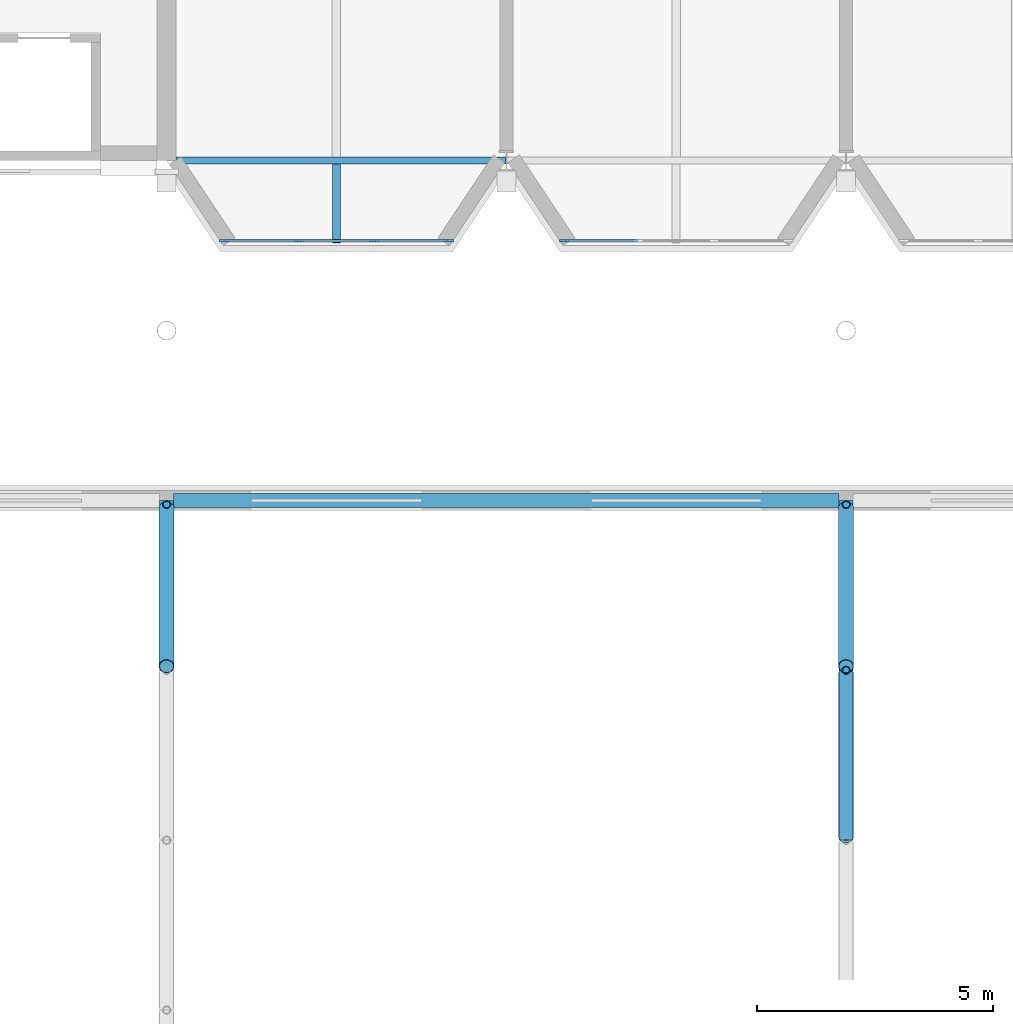
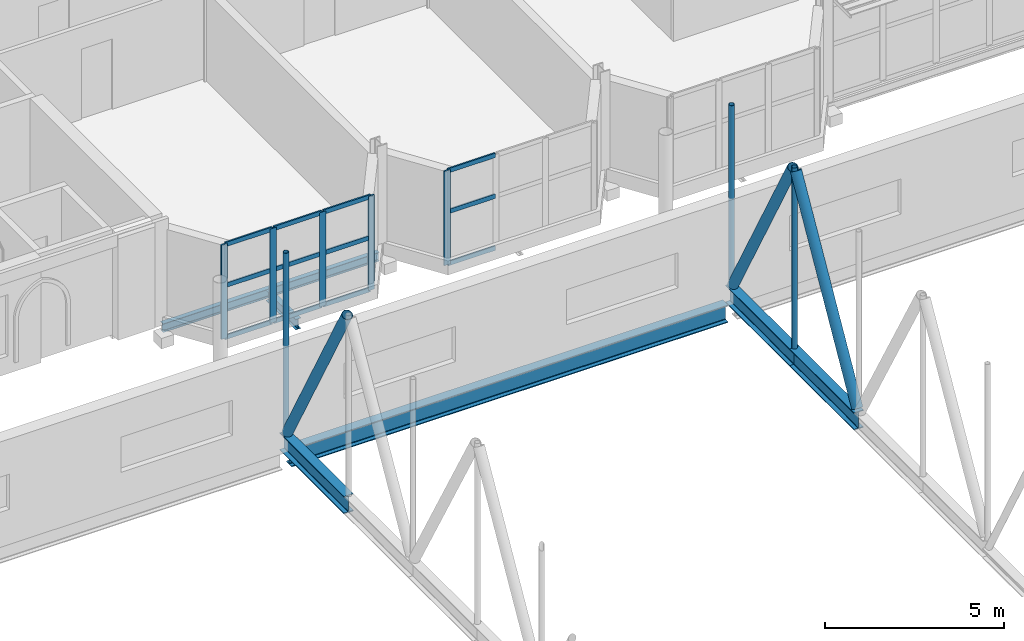
# One storey, part 49 of 142: 26 members, 3 beams, 2 elements without a shape of their own.
"""IFC4 building model written with IfcOpenShell, lengths in metres."""

from ifc_helpers import new_model, si_unit, direction, frame, origin, origin_2d, place, context, subcontext, project, spatial, rectangle, hollow_circle, i_section, extrude, material, material_profile, profile_set, type_object, element, aggregate, save


model = new_model("IFC4")

# Units and contexts
model_context = context("Model", 3, precision=1e-05, world=origin(), true_north=direction((0.0, 1.0)))
body_context = subcontext(model_context, "Body", "Model", "MODEL_VIEW")
ifc_project = project(units=[si_unit("LENGTHUNIT", "METRE"), si_unit("AREAUNIT", "SQUARE_METRE"), si_unit("VOLUMEUNIT", "CUBIC_METRE"), si_unit("PLANEANGLEUNIT", "RADIAN"), si_unit("MASSUNIT", "GRAM", prefix="KILO")], contexts=[model_context])

# Site, building, storey
site_placement = place(None, origin())
site = spatial("IfcSite", under=ifc_project, at=site_placement, CompositionType="ELEMENT")
building_placement = place(site_placement, origin())
building = spatial("IfcBuilding", under=site, at=building_placement, Name="Kupolbacken Congress Centre", CompositionType="ELEMENT")
storey_placement = place(building_placement, frame((0.0, 0.0, 14.39990234375)))
storey = spatial("IfcBuildingStorey", under=building, at=storey_placement, Name="L04", CompositionType="ELEMENT", Elevation=14.39990234375)

# Beams
ifc_material_1 = material(Name="Steel S355", Category="steel")
ifc_material_profile_1 = material_profile(ifc_material_1, i_section(OverallWidth=0.14990234375, OverallDepth=0.300048828125, WebThickness=0.007080078125, FlangeThickness=0.0107421875, FilletRadius=0.014892578125, at=origin_2d()), Name="IPE 300")
ifc_profile_set_1 = profile_set([ifc_material_profile_1], Name="Steel S355")
beam_type_1 = type_object("IfcBeamType", Name="B04 beam IPE 300", PredefinedType="BEAM", material=ifc_profile_set_1)
beam_1_placement = place(storey_placement, frame((108.199951171875, 122.39990234375, -0.289794921875), z_axis=(1.0, 0.0, 0.0), x_axis=(0.0, 1.0, 0.0)))
element("IfcBeam", 1, at=beam_1_placement, inside=storey, type_object=beam_type_1, Name="S/floor/T/L04/R003", PredefinedType="BEAM", context=body_context, shape_type="SweptSolid", body=[
    extrude(i_section(OverallWidth=0.14990234375, OverallDepth=0.300048828125, WebThickness=0.007080078125, FlangeThickness=0.0107421875, FilletRadius=0.014892578125, at=origin_2d()), origin(), (0.0, 0.0, 1.0), 6.989501953125),
])
ifc_material_2 = material(Name="Steel S355", Category="steel")
ifc_material_profile_2 = material_profile(ifc_material_2, i_section(OverallWidth=0.169921875, OverallDepth=0.360107421875, WebThickness=0.008056640625, FlangeThickness=0.0126953125, FilletRadius=0.01806640625, at=origin_2d()), Name="IPE 360")
ifc_profile_set_2 = profile_set([ifc_material_profile_2], Name="Steel S355")
beam_type_2 = type_object("IfcBeamType", Name="B06 beam IPE 360", PredefinedType="BEAM", material=ifc_profile_set_2)
beam_2_placement = place(storey_placement, frame((111.60009765625, 122.324951171875, -0.31982421875), z_axis=(0.0, -1.0, 0.0), x_axis=(1.0, 0.0, 0.0)))
element("IfcBeam", 2, at=beam_2_placement, inside=storey, type_object=beam_type_2, Name="S/floor/T/L04/C085", PredefinedType="BEAM", context=body_context, shape_type="SweptSolid", body=[
    extrude(i_section(OverallWidth=0.169921875, OverallDepth=0.360107421875, WebThickness=0.008056640625, FlangeThickness=0.0126953125, FilletRadius=0.01806640625, at=origin_2d()), origin(), (0.0, 0.0, 1.0), 1.6650390625),
])
ifc_material_3 = material(Name="Steel S355", Category="steel")
ifc_material_profile_3 = material_profile(ifc_material_3, i_section(OverallWidth=0.300048828125, OverallDepth=0.60009765625, WebThickness=0.015380859375, FlangeThickness=0.030029296875, FilletRadius=0.027099609375, at=origin_2d()), Name="HEB 600")
ifc_profile_set_3 = profile_set([ifc_material_profile_3], Name="Steel S355")
beam_type_3 = type_object("IfcBeamType", Name="B15 beam HEB 600", PredefinedType="BEAM", material=ifc_profile_set_3)
beam_3_placement = place(storey_placement, frame((108.14990234375, 115.199951171875, -0.2998046875), z_axis=(1.0, 0.0, 0.0), x_axis=(0.0, 1.0, 0.0)))
element("IfcBeam", 3, at=beam_3_placement, inside=storey, type_object=beam_type_3, Name="Edge girder", PredefinedType="BEAM", context=body_context, shape_type="SweptSolid", body=[
    extrude(i_section(OverallWidth=0.300048828125, OverallDepth=0.60009765625, WebThickness=0.015380859375, FlangeThickness=0.030029296875, FilletRadius=0.027099609375, at=origin_2d()), origin(), (0.0, 0.0, 1.0), 14.10009765625),
])

# Members
ifc_material_4 = material(Name="Steel S355", Category="steel")
ifc_material_profile_4 = material_profile(ifc_material_4, i_section(OverallWidth=0.300048828125, OverallDepth=0.60009765625, WebThickness=0.015380859375, FlangeThickness=0.030029296875, FilletRadius=0.027099609375, at=origin_2d()), Name="HEB 600")
ifc_profile_set_4 = profile_set([ifc_material_profile_4], Name="Steel S355")
member_type_1 = type_object("IfcMemberType", Name="M02 transfer truss chord HEB 600", PredefinedType="CHORD", material=ifc_profile_set_4)
member_1_placement = place(storey_placement, frame((108.0, 111.60009765625, 0.2900390625), z_axis=(0.0, 1.0, 0.0), x_axis=(-1.0, 0.0, 0.0)))
element("IfcMember", 4, at=member_1_placement, inside=storey, type_object=member_type_1, Name="HT/T2/BC20", PredefinedType="CHORD", context=body_context, shape_type="SweptSolid", body=[
    extrude(i_section(OverallWidth=0.300048828125, OverallDepth=0.60009765625, WebThickness=0.015380859375, FlangeThickness=0.030029296875, FilletRadius=0.027099609375, at=origin_2d()), origin(), (0.0, 0.0, 1.0), 3.599853515625),
])
member_2_placement = place(storey_placement, frame((122.39990234375, 108.0, 0.2900390625), z_axis=(0.0, 1.0, 0.0), x_axis=(-1.0, 0.0, 0.0)))
element("IfcMember", 5, at=member_2_placement, inside=storey, type_object=member_type_1, Name="HT/T3/BC19", PredefinedType="CHORD", context=body_context, shape_type="SweptSolid", body=[
    extrude(i_section(OverallWidth=0.300048828125, OverallDepth=0.60009765625, WebThickness=0.015380859375, FlangeThickness=0.030029296875, FilletRadius=0.027099609375, at=origin_2d()), origin(), (0.0, 0.0, 1.0), 3.60009765625),
])
member_3_placement = place(storey_placement, frame((122.39990234375, 111.60009765625, 0.2900390625), z_axis=(0.0, 1.0, 0.0), x_axis=(-1.0, 0.0, 0.0)))
element("IfcMember", 6, at=member_3_placement, inside=storey, type_object=member_type_1, Name="HT/T3/BC20", PredefinedType="CHORD", context=body_context, shape_type="SweptSolid", body=[
    extrude(i_section(OverallWidth=0.300048828125, OverallDepth=0.60009765625, WebThickness=0.015380859375, FlangeThickness=0.030029296875, FilletRadius=0.027099609375, at=origin_2d()), origin(), (0.0, 0.0, 1.0), 3.599853515625),
])
ifc_material_5 = material(Name="Steel S355", Category="steel")
ifc_material_profile_5 = material_profile(ifc_material_5, hollow_circle(Radius=0.161865234375, WallThickness=0.012451171875, at=origin_2d()), Name="CHS 323.9 x 12.5")
ifc_profile_set_5 = profile_set([ifc_material_profile_5], Name="Steel S355")
member_type_2 = type_object("IfcMemberType", Name="M04 transfer truss web CHS 323.9 x 12.5", PredefinedType="BRACE", material=ifc_profile_set_5)
member_4_placement = place(storey_placement, frame((108.0, 111.68408203125, 6.69287109375), z_axis=(0.0, 0.485036131954, -0.874494111301), x_axis=(-1.0, 0.0, 0.0)))
element("IfcMember", 7, at=member_4_placement, inside=storey, type_object=member_type_2, Name="HT/T2/D20", PredefinedType="BRACE", context=body_context, shape_type="SweptSolid", body=[
    extrude(hollow_circle(Radius=0.161865234375, WallThickness=0.012451171875, at=origin_2d()), origin(), (0.0, 0.0, 1.0), 6.90185546875),
])
member_5_placement = place(storey_placement, frame((122.39990234375, 108.084228515625, 0.658935546875), z_axis=(0.0, 0.494455978115, 0.869202672399), x_axis=(-1.0, 0.0, 0.0)))
element("IfcMember", 8, at=member_5_placement, inside=storey, type_object=member_type_2, Name="HT/T3/D19", PredefinedType="BRACE", context=body_context, shape_type="SweptSolid", body=[
    extrude(hollow_circle(Radius=0.161865234375, WallThickness=0.012451171875, at=origin_2d()), origin(), (0.0, 0.0, 1.0), 6.940185546875),
])
member_6_placement = place(storey_placement, frame((122.39990234375, 111.68408203125, 6.69287109375), z_axis=(0.0, 0.485036131954, -0.874494111301), x_axis=(-1.0, 0.0, 0.0)))
element("IfcMember", 9, at=member_6_placement, inside=storey, type_object=member_type_2, Name="HT/T3/D20", PredefinedType="BRACE", context=body_context, shape_type="SweptSolid", body=[
    extrude(hollow_circle(Radius=0.161865234375, WallThickness=0.012451171875, at=origin_2d()), origin(), (0.0, 0.0, 1.0), 6.90185546875),
])
ifc_material_6 = material(Name="Steel S355", Category="steel")
ifc_material_profile_6 = material_profile(ifc_material_6, hollow_circle(Radius=0.084228515625, WallThickness=0.008056640625, at=origin_2d()), Name="CHS 168.3 x 8")
ifc_profile_set_6 = profile_set([ifc_material_profile_6], Name="Steel S355")
member_type_3 = type_object("IfcMemberType", Name="M20 transfer truss post CHS 168.3 x 8", PredefinedType="STRUT", material=ifc_profile_set_6)
for number, where, z_axis, x_axis, name in (
    (10, (108.0, 115.115966796875, 0.580078125), (0.0, 0.0, 1.0), (0.0, 1.0, 0.0), "HT/T2/P20"),
    (11, (122.39990234375, 111.60009765625, 0.580078125), (0.0, 0.0, 1.0), (0.0, 1.0, 0.0), "HT/T3/P19"),
    (12, (122.39990234375, 115.115966796875, 0.580078125), (0.0, 0.0, 1.0), (0.0, 1.0, 0.0), "HT/T3/P20"),
):
    element("IfcMember", number, at=place(storey_placement, frame(where, z_axis=z_axis, x_axis=x_axis)), inside=storey, type_object=member_type_3, Name=name, PredefinedType="STRUT", context=body_context, shape_type="SweptSolid", body=[
        extrude(hollow_circle(Radius=0.084228515625, WallThickness=0.008056640625, at=origin_2d()), origin(), (0.0, 0.0, 1.0), 6.18994140625),
    ])

# Curtain wall, members
ifc_material_7 = material(Name="Aluminium mullion-transom frame with glass", Category="aluminium")
curtain_wall_type = type_object("IfcCurtainWallType", Name="CW1 curtain wall 7200x3600", PredefinedType="NOTDEFINED", material=ifc_material_7)
curtain_wall_1_placement = place(storey_placement, origin())
curtain_wall_1 = element("IfcCurtainWall", 13, at=curtain_wall_1_placement, inside=storey, type_object=curtain_wall_type, Name="E/T/cumba/L04/S/012/cw", PredefinedType="NOTDEFINED")
ifc_material_8 = material(Name="Aluminium alloy", Category="aluminium")
ifc_material_profile_7 = material_profile(ifc_material_8, rectangle(XDim=0.050048828125, YDim=0.199951171875, at=origin_2d()), Name="50 x 200")
ifc_profile_set_7 = profile_set([ifc_material_profile_7], Name="Aluminium alloy")
member_type_4 = type_object("IfcMemberType", Name="MU2 mullion 50x200", PredefinedType="MULLION", material=ifc_profile_set_7)
member_7_placement = place(storey_placement, frame((109.22509765625, 120.699951171875, 0.0), z_axis=(0.0, 0.0, 1.0), x_axis=(0.0, 1.0, 0.0)))
member_7 = element("IfcMember", 14, at=member_7_placement, type_object=member_type_4, Name="CW1 mullion 1", PredefinedType="MULLION", context=body_context, shape_type="SweptSolid", body=[
    extrude(rectangle(XDim=0.050048828125, YDim=0.199951171875, at=origin_2d()), origin(), (0.0, 0.0, 1.0), 3.22021484375),
])
member_8_placement = place(storey_placement, frame((110.800048828125, 120.699951171875, 0.0), z_axis=(0.0, 0.0, 1.0), x_axis=(0.0, 1.0, 0.0)))
member_8 = element("IfcMember", 15, at=member_8_placement, type_object=member_type_4, Name="CW1 mullion 2", PredefinedType="MULLION", context=body_context, shape_type="SweptSolid", body=[
    extrude(rectangle(XDim=0.050048828125, YDim=0.199951171875, at=origin_2d()), origin(), (0.0, 0.0, 1.0), 3.22021484375),
])
member_9_placement = place(storey_placement, frame((112.39990234375, 120.699951171875, 0.0), z_axis=(0.0, 0.0, 1.0), x_axis=(0.0, 1.0, 0.0)))
member_9 = element("IfcMember", 16, at=member_9_placement, type_object=member_type_4, Name="CW1 mullion 3", PredefinedType="MULLION", context=body_context, shape_type="SweptSolid", body=[
    extrude(rectangle(XDim=0.050048828125, YDim=0.199951171875, at=origin_2d()), origin(), (0.0, 0.0, 1.0), 3.22021484375),
])
member_10_placement = place(storey_placement, frame((113.97509765625, 120.699951171875, 0.0), z_axis=(0.0, 0.0, 1.0), x_axis=(0.0, 1.0, 0.0)))
member_10 = element("IfcMember", 17, at=member_10_placement, type_object=member_type_4, Name="CW1 mullion 4", PredefinedType="MULLION", context=body_context, shape_type="SweptSolid", body=[
    extrude(rectangle(XDim=0.050048828125, YDim=0.199951171875, at=origin_2d()), origin(), (0.0, 0.0, 1.0), 3.22021484375),
])

# Curtain wall, member
curtain_wall_2_placement = place(storey_placement, origin())
curtain_wall_2 = element("IfcCurtainWall", 18, at=curtain_wall_2_placement, inside=storey, type_object=curtain_wall_type, Name="E/T/cumba/L04/S/016/cw", PredefinedType="NOTDEFINED")
member_11_placement = place(storey_placement, frame((116.425048828125, 120.699951171875, 0.0), z_axis=(0.0, 0.0, 1.0), x_axis=(0.0, 1.0, 0.0)))
member_11 = element("IfcMember", 19, at=member_11_placement, type_object=member_type_4, Name="CW1 mullion 1", PredefinedType="MULLION", context=body_context, shape_type="SweptSolid", body=[
    extrude(rectangle(XDim=0.050048828125, YDim=0.199951171875, at=origin_2d()), origin(), (0.0, 0.0, 1.0), 3.22021484375),
])

# Member
ifc_material_9 = material(Name="Aluminium alloy", Category="aluminium")
ifc_material_profile_8 = material_profile(ifc_material_9, rectangle(XDim=0.050048828125, YDim=0.14990234375, at=origin_2d()), Name="50 x 150")
ifc_profile_set_8 = profile_set([ifc_material_profile_8], Name="Aluminium alloy")
member_type_5 = type_object("IfcMemberType", Name="TR2 transom 50x150", PredefinedType="MULLION", material=ifc_profile_set_8)
member_12_placement = place(storey_placement, frame((109.25, 120.699951171875, 0.025146484375), z_axis=(1.0, 0.0, 0.0), x_axis=(0.0, 1.0, 0.0)))
member_12 = element("IfcMember", 20, at=member_12_placement, type_object=member_type_5, Name="CW1 transom 1.1", PredefinedType="MULLION", context=body_context, shape_type="SweptSolid", body=[
    extrude(rectangle(XDim=0.050048828125, YDim=0.14990234375, at=origin_2d()), origin(), (0.0, 0.0, 1.0), 1.52490234375),
])

member_13_placement = place(storey_placement, frame((109.25, 120.699951171875, 1.800048828125), z_axis=(1.0, 0.0, 0.0), x_axis=(0.0, 1.0, 0.0)))
member_13 = element("IfcMember", 21, at=member_13_placement, type_object=member_type_5, Name="CW1 transom 1.2", PredefinedType="MULLION", context=body_context, shape_type="SweptSolid", body=[
    extrude(rectangle(XDim=0.050048828125, YDim=0.14990234375, at=origin_2d()), origin(), (0.0, 0.0, 1.0), 1.52490234375),
])

member_14_placement = place(storey_placement, frame((109.25, 120.699951171875, 3.195068359375), z_axis=(1.0, 0.0, 0.0), x_axis=(0.0, 1.0, 0.0)))
member_14 = element("IfcMember", 22, at=member_14_placement, type_object=member_type_5, Name="CW1 transom 1.3", PredefinedType="MULLION", context=body_context, shape_type="SweptSolid", body=[
    extrude(rectangle(XDim=0.050048828125, YDim=0.14990234375, at=origin_2d()), origin(), (0.0, 0.0, 1.0), 1.52490234375),
])

member_15_placement = place(storey_placement, frame((110.824951171875, 120.699951171875, 0.025146484375), z_axis=(1.0, 0.0, 0.0), x_axis=(0.0, 1.0, 0.0)))
member_15 = element("IfcMember", 23, at=member_15_placement, type_object=member_type_5, Name="CW1 transom 2.1", PredefinedType="MULLION", context=body_context, shape_type="SweptSolid", body=[
    extrude(rectangle(XDim=0.050048828125, YDim=0.14990234375, at=origin_2d()), origin(), (0.0, 0.0, 1.0), 1.550048828125),
])

member_16_placement = place(storey_placement, frame((110.824951171875, 120.699951171875, 1.800048828125), z_axis=(1.0, 0.0, 0.0), x_axis=(0.0, 1.0, 0.0)))
member_16 = element("IfcMember", 24, at=member_16_placement, type_object=member_type_5, Name="CW1 transom 2.2", PredefinedType="MULLION", context=body_context, shape_type="SweptSolid", body=[
    extrude(rectangle(XDim=0.050048828125, YDim=0.14990234375, at=origin_2d()), origin(), (0.0, 0.0, 1.0), 1.550048828125),
])

member_17_placement = place(storey_placement, frame((110.824951171875, 120.699951171875, 3.195068359375), z_axis=(1.0, 0.0, 0.0), x_axis=(0.0, 1.0, 0.0)))
member_17 = element("IfcMember", 25, at=member_17_placement, type_object=member_type_5, Name="CW1 transom 2.3", PredefinedType="MULLION", context=body_context, shape_type="SweptSolid", body=[
    extrude(rectangle(XDim=0.050048828125, YDim=0.14990234375, at=origin_2d()), origin(), (0.0, 0.0, 1.0), 1.550048828125),
])

member_18_placement = place(storey_placement, frame((112.425048828125, 120.699951171875, 0.025146484375), z_axis=(1.0, 0.0, 0.0), x_axis=(0.0, 1.0, 0.0)))
member_18 = element("IfcMember", 26, at=member_18_placement, type_object=member_type_5, Name="CW1 transom 3.1", PredefinedType="MULLION", context=body_context, shape_type="SweptSolid", body=[
    extrude(rectangle(XDim=0.050048828125, YDim=0.14990234375, at=origin_2d()), origin(), (0.0, 0.0, 1.0), 1.52490234375),
])

member_19_placement = place(storey_placement, frame((112.425048828125, 120.699951171875, 1.800048828125), z_axis=(1.0, 0.0, 0.0), x_axis=(0.0, 1.0, 0.0)))
member_19 = element("IfcMember", 27, at=member_19_placement, type_object=member_type_5, Name="CW1 transom 3.2", PredefinedType="MULLION", context=body_context, shape_type="SweptSolid", body=[
    extrude(rectangle(XDim=0.050048828125, YDim=0.14990234375, at=origin_2d()), origin(), (0.0, 0.0, 1.0), 1.52490234375),
])

member_20_placement = place(storey_placement, frame((112.425048828125, 120.699951171875, 3.195068359375), z_axis=(1.0, 0.0, 0.0), x_axis=(0.0, 1.0, 0.0)))
member_20 = element("IfcMember", 28, at=member_20_placement, type_object=member_type_5, Name="CW1 transom 3.3", PredefinedType="MULLION", context=body_context, shape_type="SweptSolid", body=[
    extrude(rectangle(XDim=0.050048828125, YDim=0.14990234375, at=origin_2d()), origin(), (0.0, 0.0, 1.0), 1.52490234375),
])

aggregate(curtain_wall_1, [member_7, member_8, member_9, member_10, member_12, member_13, member_14, member_15, member_16, member_17, member_18, member_19, member_20])

member_21_placement = place(storey_placement, frame((116.449951171875, 120.699951171875, 0.025146484375), z_axis=(1.0, 0.0, 0.0), x_axis=(0.0, 1.0, 0.0)))
member_21 = element("IfcMember", 29, at=member_21_placement, type_object=member_type_5, Name="CW1 transom 1.1", PredefinedType="MULLION", context=body_context, shape_type="SweptSolid", body=[
    extrude(rectangle(XDim=0.050048828125, YDim=0.14990234375, at=origin_2d()), origin(), (0.0, 0.0, 1.0), 1.525146484375),
])

member_22_placement = place(storey_placement, frame((116.449951171875, 120.699951171875, 1.800048828125), z_axis=(1.0, 0.0, 0.0), x_axis=(0.0, 1.0, 0.0)))
member_22 = element("IfcMember", 30, at=member_22_placement, type_object=member_type_5, Name="CW1 transom 1.2", PredefinedType="MULLION", context=body_context, shape_type="SweptSolid", body=[
    extrude(rectangle(XDim=0.050048828125, YDim=0.14990234375, at=origin_2d()), origin(), (0.0, 0.0, 1.0), 1.525146484375),
])

member_23_placement = place(storey_placement, frame((116.449951171875, 120.699951171875, 3.195068359375), z_axis=(1.0, 0.0, 0.0), x_axis=(0.0, 1.0, 0.0)))
member_23 = element("IfcMember", 31, at=member_23_placement, type_object=member_type_5, Name="CW1 transom 1.3", PredefinedType="MULLION", context=body_context, shape_type="SweptSolid", body=[
    extrude(rectangle(XDim=0.050048828125, YDim=0.14990234375, at=origin_2d()), origin(), (0.0, 0.0, 1.0), 1.525146484375),
])

aggregate(curtain_wall_2, [member_11, member_21, member_22, member_23])

save(model, "model.ifc")
